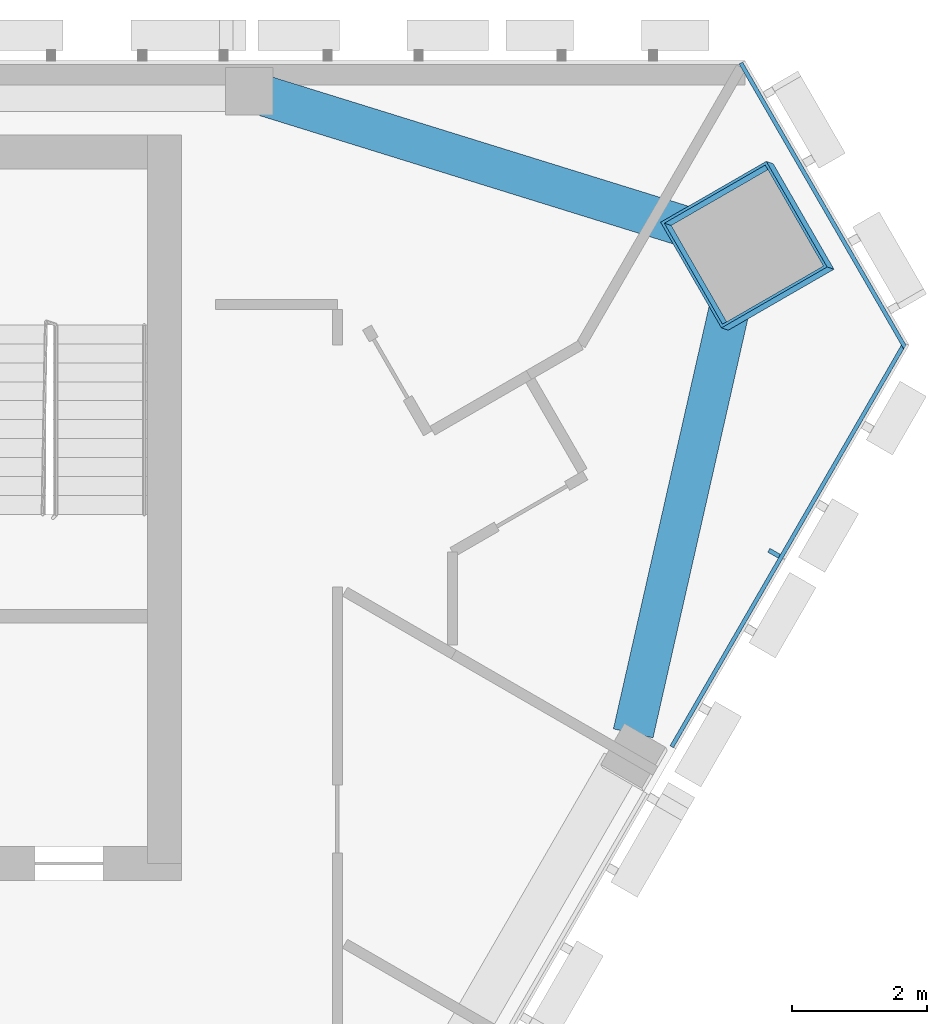
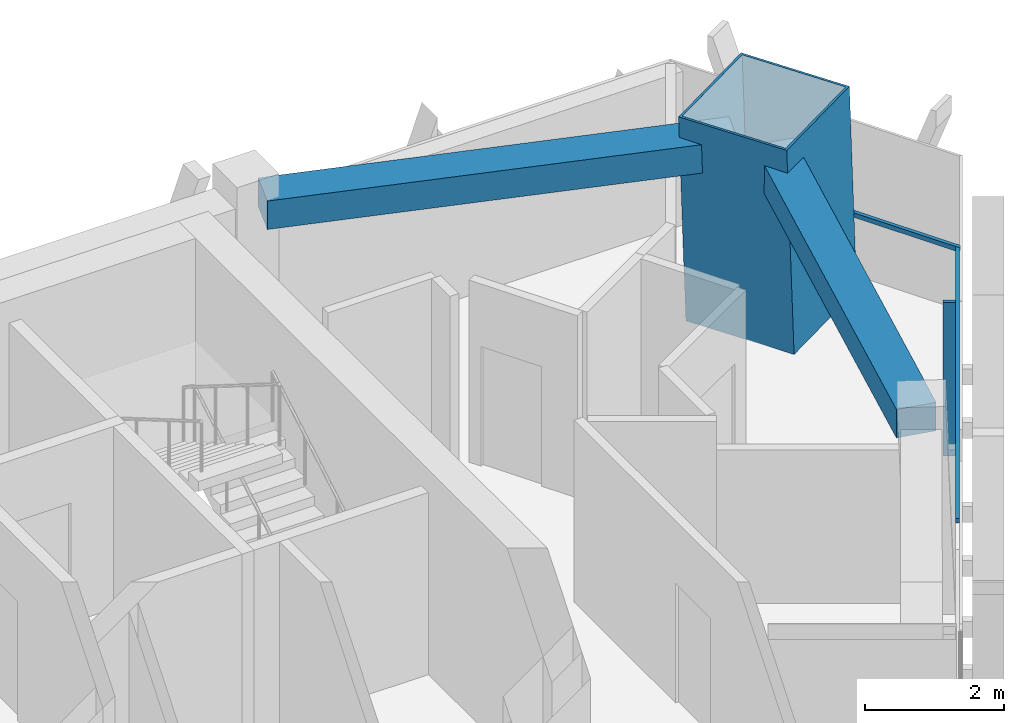
# One storey, part 6 of 14: 4 members, 2 beams, 2 elements without a shape of their own.
"""IFC4 building model written with IfcOpenShell, lengths in metres."""

from ifc_helpers import new_model, si_unit, direction, frame, origin, origin_2d, place, context, subcontext, project, spatial, rectangle, hollow_rectangle, extrude, material, layer, layer_set, material_profile, profile_set, type_object, element, aggregate, save


model = new_model("IFC4")

# Units and contexts
model_context = context("Model", 3, precision=1e-05, world=origin(), true_north=direction((0.0, 1.0)))
body_context = subcontext(model_context, "Body", "Model", "MODEL_VIEW")
ifc_project = project(units=[si_unit("LENGTHUNIT", "METRE"), si_unit("AREAUNIT", "SQUARE_METRE"), si_unit("VOLUMEUNIT", "CUBIC_METRE"), si_unit("PLANEANGLEUNIT", "RADIAN"), si_unit("MASSUNIT", "GRAM", prefix="KILO")], contexts=[model_context])

# Site, building, storey
site_placement = place(None, origin())
site = spatial("IfcSite", under=ifc_project, at=site_placement, CompositionType="ELEMENT")
building_placement = place(site_placement, origin())
building = spatial("IfcBuilding", under=site, at=building_placement, Name="Altiplano Prism Tower", CompositionType="ELEMENT")
storey_placement = place(building_placement, frame((0.0, 0.0, 268.0)))
storey = spatial("IfcBuildingStorey", under=building, at=storey_placement, Name="L69", CompositionType="ELEMENT", Elevation=268.0)

# Curtain wall, members
ifc_material_1 = material(Name="Aluminium and glass", Category="aluminium")
ifc_layer = layer(ifc_material_1, 0.280029296875)
ifc_layer_set = layer_set([ifc_layer], Name="Aluminium and glass")
curtain_wall_type = type_object("IfcCurtainWallType", Name="CW1 typical co-living unitised curtain wall", PredefinedType="NOTDEFINED", material=ifc_layer_set)
curtain_wall_1_placement = place(storey_placement, origin())
curtain_wall_1 = element("IfcCurtainWall", 1, at=curtain_wall_1_placement, inside=storey, type_object=curtain_wall_type, Name="CW1 curtain wall south-east face L69", PredefinedType="NOTDEFINED")
ifc_material_2 = material(Name="Aluminium", Category="aluminium")
ifc_material_profile_1 = material_profile(ifc_material_2, rectangle(XDim=0.179931640625, YDim=0.06494140625, at=origin_2d()), Name="CW1 mullion 65 x 180")
ifc_profile_set_1 = profile_set([ifc_material_profile_1], Name="Aluminium")
member_type_1 = type_object("IfcMemberType", Name="CW1 mullion 65 x 180", PredefinedType="MULLION", material=ifc_profile_set_1)
member_1_placement = place(storey_placement, frame((106.24609375, 97.729248046875, 0.0), z_axis=(0.0, 0.0, 1.0), x_axis=(-0.866025408191, 0.499999992367, 0.0)))
member_1 = element("IfcMember", 2, at=member_1_placement, type_object=member_type_1, Name="CW1 mullion", PredefinedType="MULLION", context=body_context, shape_type="SweptSolid", body=[
    extrude(rectangle(XDim=0.179931640625, YDim=0.06494140625, at=origin_2d()), origin(), (0.0, 0.0, 1.0), 2.699951171875),
])
ifc_material_profile_2 = material_profile(ifc_material_2, rectangle(XDim=0.06005859375, YDim=0.080078125, at=origin_2d()), Name="CW1 transom 80 x 60")
ifc_profile_set_2 = profile_set([ifc_material_profile_2], Name="Aluminium")
member_type_2 = type_object("IfcMemberType", Name="CW1 transom 80 x 60", PredefinedType="USERDEFINED", material=ifc_profile_set_2)
member_2_placement = place(storey_placement, frame((104.73583984375, 94.873291015625, 1.10009765625), z_axis=(0.500012965332, 0.866017918117, 0.0), x_axis=(-0.866017918117, 0.500012965332, 0.0)))
member_2 = element("IfcMember", 3, at=member_2_placement, type_object=member_type_2, Name="CW1 transom", ObjectType="TRANSOM", PredefinedType="USERDEFINED", context=body_context, shape_type="SweptSolid", body=[
    extrude(rectangle(XDim=0.06005859375, YDim=0.080078125, at=origin_2d()), origin(), (0.0, 0.0, 1.0), 6.886474609375),
])
aggregate(curtain_wall_1, [member_1, member_2])

# Curtain wall, member
curtain_wall_2_placement = place(storey_placement, origin())
curtain_wall_2 = element("IfcCurtainWall", 4, at=curtain_wall_2_placement, inside=storey, type_object=curtain_wall_type, Name="CW1 curtain wall north-east chamfer L69", PredefinedType="NOTDEFINED")
member_3_placement = place(storey_placement, frame((108.17919921875, 100.76708984375, 1.10009765625), z_axis=(-0.500017455734, 0.866015325477, 0.0), x_axis=(-0.866015325477, -0.500017455734, 0.0)))
member_3 = element("IfcMember", 5, at=member_3_placement, type_object=member_type_2, Name="CW1 transom", ObjectType="TRANSOM", PredefinedType="USERDEFINED", context=body_context, shape_type="SweptSolid", body=[
    extrude(rectangle(XDim=0.06005859375, YDim=0.080078125, at=origin_2d()), origin(), (0.0, 0.0, 1.0), 4.847412109375),
])
aggregate(curtain_wall_2, [member_3])

# Beams
ifc_material_3 = material(Name="Concrete C60/75", Category="concrete")
ifc_material_profile_3 = material_profile(ifc_material_3, rectangle(XDim=0.60009765625, YDim=0.5, at=origin_2d()), Name="Edge beam 600x500")
ifc_profile_set_3 = profile_set([ifc_material_profile_3], Name="Concrete C60/75")
beam_type = type_object("IfcBeamType", Name="Edge beam 600x500", PredefinedType="SPANDREL", material=ifc_profile_set_3)
beam_1_placement = place(storey_placement, frame((104.16650390625, 95.070068359375, 2.949951171875), z_axis=(0.220809883579, 0.975316869183, 0.0), x_axis=(-0.975316869183, 0.220809883579, 0.0)))
element("IfcBeam", 6, at=beam_1_placement, inside=storey, type_object=beam_type, Name="Edge beam P24-M2 L70", PredefinedType="SPANDREL", context=body_context, shape_type="SweptSolid", body=[
    extrude(rectangle(XDim=0.60009765625, YDim=0.5, at=origin_2d()), origin(), (0.0, 0.0, 1.0), 6.94677734375),
])
beam_2_placement = place(storey_placement, frame((105.3701171875, 102.417724609375, 2.949951171875), z_axis=(-0.955053501736, 0.296433481276, 0.0), x_axis=(-0.296433481276, -0.955053501736, 0.0)))
element("IfcBeam", 7, at=beam_2_placement, inside=storey, type_object=beam_type, Name="Edge beam M2-P01 L70", PredefinedType="SPANDREL", context=body_context, shape_type="SweptSolid", body=[
    extrude(rectangle(XDim=0.60009765625, YDim=0.5, at=origin_2d()), origin(), (0.0, 0.0, 1.0), 6.947021484375),
])

# Member
ifc_material_4 = material(Name="Steel S460", Category="steel")
ifc_material_profile_4 = material_profile(ifc_material_4, hollow_rectangle(XDim=1.800048828125, YDim=1.800048828125, WallThickness=0.0400390625, at=origin_2d()), Name="Mega column tube 1800")
ifc_profile_set_4 = profile_set([ifc_material_profile_4], Name="Steel S460")
member_type_3 = type_object("IfcMemberType", Name="Mega column tube 1800", PredefinedType="POST", material=ifc_profile_set_4)
member_4_placement = place(storey_placement, frame((105.902099609375, 102.2509765625, 0.0), z_axis=(-0.028401796786, 0.009286506348, 0.999553449666), x_axis=(0.498876209332, -0.866388246574, 0.022224625084)))
element("IfcMember", 8, at=member_4_placement, inside=storey, type_object=member_type_3, Name="Mega column tube M2 L69", PredefinedType="POST", context=body_context, shape_type="SweptSolid", body=[
    extrude(hollow_rectangle(XDim=1.800048828125, YDim=1.800048828125, WallThickness=0.0400390625, at=origin_2d()), origin(), (0.0, 0.0, 1.0), 3.601806640625),
])

save(model, "model.ifc")
